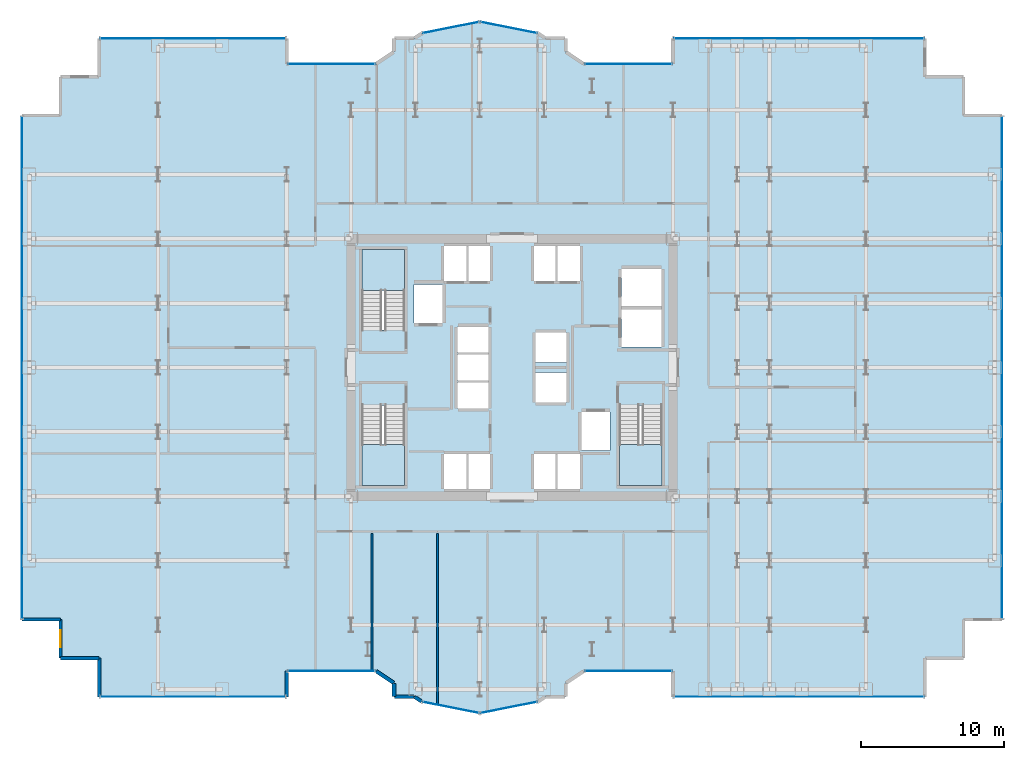
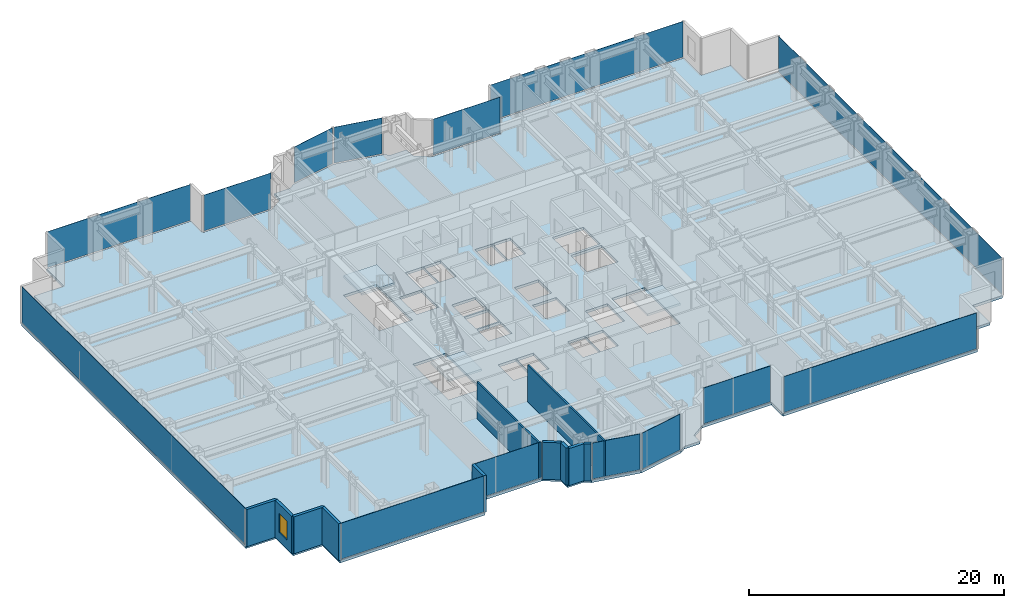
# One storey, part 19 of 26: 14 plates, 11 walls, 4 slabs, 1 window, 1 opening, 17 elements without a shape of their own.
"""IFC4 building model written with IfcOpenShell, lengths in metres."""

from ifc_helpers import new_model, si_unit, direction, frame, frame_2d, origin, origin_2d, place, context, subcontext, project, spatial, polyline, rectangle, outline, extrude, source, transform, mapped, material, layer, layer_set, type_object, element, fill, aggregate, save


model = new_model("IFC4")

# Units and contexts
model_context = context("Model", 3, precision=1e-05, world=origin(), true_north=direction((0.0, 1.0)))
body_context = subcontext(model_context, "Body", "Model", "MODEL_VIEW")
ifc_project = project(units=[si_unit("LENGTHUNIT", "METRE"), si_unit("AREAUNIT", "SQUARE_METRE"), si_unit("VOLUMEUNIT", "CUBIC_METRE"), si_unit("PLANEANGLEUNIT", "RADIAN"), si_unit("MASSUNIT", "GRAM", prefix="KILO")], contexts=[model_context])

# Site, building, storey
site_placement = place(None, origin())
site = spatial("IfcSite", under=ifc_project, at=site_placement, CompositionType="ELEMENT")
building_placement = place(site_placement, origin())
building = spatial("IfcBuilding", under=site, at=building_placement, Name="Nefas-Gora Pilgrimage Tower", CompositionType="ELEMENT")
storey_placement = place(building_placement, frame((0.0, 0.0, 63.39990234375)))
storey = spatial("IfcBuildingStorey", under=building, at=storey_placement, Name="L14", CompositionType="ELEMENT", Elevation=63.39990234375)

# Slab
ifc_material_1 = material(Name="Concrete C40/50", Category="concrete")
ifc_layer_1 = layer(ifc_material_1, 0.25)
ifc_layer_set_1 = layer_set([ifc_layer_1], Name="Concrete C40/50")
slab_type_1 = type_object("IfcSlabType", Name="SLB-TWR-250", PredefinedType="FLOOR", material=ifc_layer_set_1)
slab_1_placement = place(storey_placement, frame((0.0, 0.0, -0.25)))
element("IfcSlab", 1, at=slab_1_placement, inside=storey, type_object=slab_type_1, Name="L14 Structural Floor Slab", PredefinedType="FLOOR", context=body_context, shape_type="SweptSolid", body=[
    extrude(outline(polyline([(5.01806640625, -21.219970703125), (11.25, -21.219970703125), (11.25, -23.02001953125), (28.8701171875, -23.02001953125), (28.8701171875, -20.320068359375), (31.570068359375, -20.320068359375), (31.570068359375, -17.6201171875), (34.27001953125, -17.6201171875), (34.27001953125, 17.6201171875), (31.570068359375, 17.6201171875), (31.570068359375, 20.320068359375), (28.8701171875, 20.320068359375), (28.8701171875, 23.02001953125), (11.25, 23.02001953125), (11.25, 21.219970703125), (5.01806640625, 21.219970703125), (3.75, 22.0673828125), (3.75, 23.02001953125), (2.32421875, 23.02001953125), (1.807373046875, 23.365234375), (-2.25, 24.17236328125), (-6.307373046875, 23.365234375), (-6.82421875, 23.02001953125), (-8.25, 23.02001953125), (-8.25, 22.0673828125), (-9.51806640625, 21.219970703125), (-15.75, 21.219970703125), (-15.75, 23.02001953125), (-28.8701171875, 23.02001953125), (-28.8701171875, 20.320068359375), (-31.570068359375, 20.320068359375), (-31.570068359375, 17.6201171875), (-34.27001953125, 17.6201171875), (-34.27001953125, -17.6201171875), (-31.570068359375, -17.6201171875), (-31.570068359375, -20.320068359375), (-28.8701171875, -20.320068359375), (-28.8701171875, -23.02001953125), (-15.75, -23.02001953125), (-15.75, -21.219970703125), (-9.51806640625, -21.219970703125), (-8.25, -22.0673828125), (-8.25, -23.02001953125), (-6.82421875, -23.02001953125), (-6.307373046875, -23.365234375), (-2.25, -24.17236328125), (1.807373046875, -23.365234375), (2.32421875, -23.02001953125), (3.75, -23.02001953125), (3.75, -22.0673828125), (5.01806640625, -21.219970703125)]), holes=[polyline([(-10.5, 2.639892578125), (-10.5, 8.25), (-7.5, 8.25), (-7.5, 2.639892578125), (-10.5, 2.639892578125)]), polyline([(10.5, -2.639892578125), (10.5, -8.25), (7.5, -8.25), (7.5, -2.639892578125), (10.5, -2.639892578125)]), polyline([(-7.5, -2.639892578125), (-7.5, -8.25), (-10.5, -8.25), (-10.5, -2.639892578125), (-7.5, -2.639892578125)]), polyline([(-6.85009765625, 5.800048828125), (-4.85009765625, 5.800048828125), (-4.85009765625, 3.10009765625), (-6.85009765625, 3.10009765625), (-6.85009765625, 5.800048828125)]), polyline([(4.85009765625, -3.10009765625), (6.85009765625, -3.10009765625), (6.85009765625, -5.800048828125), (4.85009765625, -5.800048828125), (4.85009765625, -3.10009765625)]), polyline([(7.64990234375, 4.050048828125), (10.449951171875, 4.050048828125), (10.449951171875, 1.449951171875), (7.64990234375, 1.449951171875), (7.64990234375, 4.050048828125)]), polyline([(7.64990234375, 6.89990234375), (10.449951171875, 6.89990234375), (10.449951171875, 4.300048828125), (7.64990234375, 4.300048828125), (7.64990234375, 6.89990234375)]), polyline([(-4.75, 8.5), (-3.14990234375, 8.5), (-3.14990234375, 6.050048828125), (-4.75, 6.050048828125), (-4.75, 8.5)]), polyline([(-3.10009765625, 8.5), (-1.550048828125, 8.5), (-1.550048828125, 6.050048828125), (-3.10009765625, 6.050048828125), (-3.10009765625, 8.5)]), polyline([(1.550048828125, 8.5), (3.10009765625, 8.5), (3.10009765625, 6.050048828125), (1.550048828125, 6.050048828125), (1.550048828125, 8.5)]), polyline([(3.14990234375, 8.5), (4.75, 8.5), (4.75, 6.050048828125), (3.14990234375, 6.050048828125), (3.14990234375, 8.5)]), polyline([(-4.75, -6.050048828125), (-3.14990234375, -6.050048828125), (-3.14990234375, -8.5), (-4.75, -8.5), (-4.75, -6.050048828125)]), polyline([(-3.10009765625, -6.050048828125), (-1.550048828125, -6.050048828125), (-1.550048828125, -8.5), (-3.10009765625, -8.5), (-3.10009765625, -6.050048828125)]), polyline([(1.550048828125, -6.050048828125), (3.10009765625, -6.050048828125), (3.10009765625, -8.5), (1.550048828125, -8.5), (1.550048828125, -6.050048828125)]), polyline([(3.14990234375, -6.050048828125), (4.75, -6.050048828125), (4.75, -8.5), (3.14990234375, -8.5), (3.14990234375, -6.050048828125)]), polyline([(-3.800048828125, -1.050048828125), (-1.64990234375, -1.050048828125), (-1.64990234375, -2.85009765625), (-3.800048828125, -2.85009765625), (-3.800048828125, -1.050048828125)]), polyline([(-3.800048828125, 0.89990234375), (-1.64990234375, 0.89990234375), (-1.64990234375, -0.89990234375), (-3.800048828125, -0.89990234375), (-3.800048828125, 0.89990234375)]), polyline([(-3.800048828125, 2.85009765625), (-1.64990234375, 2.85009765625), (-1.64990234375, 1.050048828125), (-3.800048828125, 1.050048828125), (-3.800048828125, 2.85009765625)]), polyline([(1.64990234375, -0.35009765625), (3.800048828125, -0.35009765625), (3.800048828125, -2.449951171875), (1.64990234375, -2.449951171875), (1.64990234375, -0.35009765625)]), polyline([(1.64990234375, 2.449951171875), (3.800048828125, 2.449951171875), (3.800048828125, 0.35009765625), (1.64990234375, 0.35009765625), (1.64990234375, 2.449951171875)])]), origin(), (0.0, 0.0, 1.0), 0.25),
])

# Stair, slab
ifc_material_2 = material(Name="Concrete C45/55", Category="concrete")
stair_type = type_object("IfcStairType", Name="STR-1400-R1727", PredefinedType="HALF_TURN_STAIR", material=ifc_material_2)
stair_1_placement = place(storey_placement, origin())
stair_1 = element("IfcStair", 2, at=stair_1_placement, inside=storey, type_object=stair_type, Name="L14 Pressurised Tower Exit Stair ST-01", PredefinedType="HALF_TURN_STAIR")
ifc_layer_2 = layer(ifc_material_1, 0.199951171875)
ifc_layer_set_2 = layer_set([ifc_layer_2], Name="Concrete C40/50")
slab_type_2 = type_object("IfcSlabType", Name="STR-LAND-200", PredefinedType="LANDING", material=ifc_layer_set_2)
slab_2_placement = place(storey_placement, frame((0.0, 0.0, 1.7001953125)))
slab_2 = element("IfcSlab", 3, at=slab_2_placement, type_object=slab_type_2, Name="ST-01 landing 1", PredefinedType="LANDING", context=body_context, shape_type="SweptSolid", body=[
    extrude(outline(polyline([(-7.5, 5.39990234375), (-7.5, 8.25), (-10.5, 8.25), (-10.5, 5.39990234375), (-7.5, 5.39990234375)])), origin(), (0.0, 0.0, 1.0), 0.199951171875),
])
aggregate(stair_1, [slab_2])

stair_2_placement = place(storey_placement, origin())
stair_2 = element("IfcStair", 4, at=stair_2_placement, inside=storey, type_object=stair_type, Name="L14 Pressurised Tower Exit Stair ST-02", PredefinedType="HALF_TURN_STAIR")
slab_3_placement = place(storey_placement, frame((0.0, 0.0, 1.7001953125)))
slab_3 = element("IfcSlab", 5, at=slab_3_placement, type_object=slab_type_2, Name="ST-02 landing 1", PredefinedType="LANDING", context=body_context, shape_type="SweptSolid", body=[
    extrude(outline(polyline([(7.5, -5.39990234375), (7.5, -8.25), (10.5, -8.25), (10.5, -5.39990234375), (7.5, -5.39990234375)])), origin(), (0.0, 0.0, 1.0), 0.199951171875),
])
aggregate(stair_2, [slab_3])

stair_3_placement = place(storey_placement, origin())
stair_3 = element("IfcStair", 6, at=stair_3_placement, inside=storey, type_object=stair_type, Name="L14 Pressurised Tower Exit Stair ST-03", PredefinedType="HALF_TURN_STAIR")
slab_4_placement = place(storey_placement, frame((0.0, 0.0, 1.7001953125)))
slab_4 = element("IfcSlab", 7, at=slab_4_placement, type_object=slab_type_2, Name="ST-03 landing 1", PredefinedType="LANDING", context=body_context, shape_type="SweptSolid", body=[
    extrude(outline(polyline([(-10.5, -5.39990234375), (-10.5, -8.25), (-7.5, -8.25), (-7.5, -5.39990234375), (-10.5, -5.39990234375)])), origin(), (0.0, 0.0, 1.0), 0.199951171875),
])
aggregate(stair_3, [slab_4])

# Curtain wall, plate
ifc_material_3 = material(Name="Dark ceramic-fritted solar-control aluminium-glass curtain wall", Category="aluminium")
ifc_layer_3 = layer(ifc_material_3, 0.219970703125)
ifc_layer_set_3 = layer_set([ifc_layer_3], Name="Dark ceramic-fritted solar-control aluminium-glass curtain wall")
curtain_wall_type_1 = type_object("IfcCurtainWallType", Name="CW-SYS-5", PredefinedType="NOTDEFINED", material=ifc_layer_set_3)
curtain_wall_1_placement = place(storey_placement, origin())
curtain_wall_1 = element("IfcCurtainWall", 8, at=curtain_wall_1_placement, inside=storey, type_object=curtain_wall_type_1, Name="L14 Unitised Curtain Wall CW5", PredefinedType="NOTDEFINED")
ifc_material_4 = material(Name="Dark ceramic-printed low-e insulated glass", Category="glass")
ifc_layer_4 = layer(ifc_material_4, 0.028076171875)
ifc_layer_set_4 = layer_set([ifc_layer_4], Name="Dark ceramic-printed low-e insulated glass")
plate_type_1 = type_object("IfcPlateType", Name="CWP-PNL-5", PredefinedType="CURTAIN_PANEL", material=ifc_layer_set_4)
shared_shape_1 = source(origin(), body_context, "Body", "SweptSolid", [
    extrude(rectangle(XDim=6.052001953125, YDim=0.028076171875, at=origin_2d()), origin(), (0.0, 0.0, 1.0), 3.43994140625),
])
plate_1_placement = place(storey_placement, frame((8.134033203125, -21.219970703125, 0.10009765625), z_axis=(0.0, 0.0, 1.0), x_axis=(1.0, 0.0, 0.0)))
plate_1 = element("IfcPlate", 9, at=plate_1_placement, type_object=plate_type_1, Name="CW5 Ceramic-Fritted Glazing Panel 1", PredefinedType="CURTAIN_PANEL", context=body_context, shape_type="MappedRepresentation", body=[
    mapped(shared_shape_1, transform((0.0, 0.0, 0.0), x_axis=(1.0, 0.0, 0.0), y_axis=(0.0, 1.0, 0.0), z_axis=(0.0, 0.0, 1.0), scale=1.0)),
])
aggregate(curtain_wall_1, [plate_1])

curtain_wall_2_placement = place(storey_placement, origin())
curtain_wall_2 = element("IfcCurtainWall", 10, at=curtain_wall_2_placement, inside=storey, type_object=curtain_wall_type_1, Name="L14 Unitised Curtain Wall CW5", PredefinedType="NOTDEFINED")
plate_2_placement = place(storey_placement, frame((8.134033203125, 21.219970703125, 0.10009765625), z_axis=(0.0, 0.0, 1.0), x_axis=(-1.0, 0.0, 0.0)))
plate_2 = element("IfcPlate", 11, at=plate_2_placement, type_object=plate_type_1, Name="CW5 Ceramic-Fritted Glazing Panel 1", PredefinedType="CURTAIN_PANEL", context=body_context, shape_type="MappedRepresentation", body=[
    mapped(shared_shape_1, transform((0.0, 0.0, 0.0), x_axis=(1.0, 0.0, 0.0), y_axis=(0.0, 1.0, 0.0), z_axis=(0.0, 0.0, 1.0), scale=1.0)),
])
aggregate(curtain_wall_2, [plate_2])

curtain_wall_3_placement = place(storey_placement, origin())
curtain_wall_3 = element("IfcCurtainWall", 12, at=curtain_wall_3_placement, inside=storey, type_object=curtain_wall_type_1, Name="L14 Unitised Curtain Wall CW5", PredefinedType="NOTDEFINED")
plate_3_placement = place(storey_placement, frame((-12.634033203125, 21.219970703125, 0.10009765625), z_axis=(0.0, 0.0, 1.0), x_axis=(-1.0, 0.0, 0.0)))
plate_3 = element("IfcPlate", 13, at=plate_3_placement, type_object=plate_type_1, Name="CW5 Ceramic-Fritted Glazing Panel 1", PredefinedType="CURTAIN_PANEL", context=body_context, shape_type="MappedRepresentation", body=[
    mapped(shared_shape_1, transform((0.0, 0.0, 0.0), x_axis=(1.0, 0.0, 0.0), y_axis=(0.0, 1.0, 0.0), z_axis=(0.0, 0.0, 1.0), scale=1.0)),
])
aggregate(curtain_wall_3, [plate_3])

curtain_wall_4_placement = place(storey_placement, origin())
curtain_wall_4 = element("IfcCurtainWall", 14, at=curtain_wall_4_placement, inside=storey, type_object=curtain_wall_type_1, Name="L14 Unitised Curtain Wall CW5", PredefinedType="NOTDEFINED")
plate_4_placement = place(storey_placement, frame((-12.634033203125, -21.219970703125, 0.10009765625), z_axis=(0.0, 0.0, 1.0), x_axis=(1.0, 0.0, 0.0)))
plate_4 = element("IfcPlate", 15, at=plate_4_placement, type_object=plate_type_1, Name="CW5 Ceramic-Fritted Glazing Panel 1", PredefinedType="CURTAIN_PANEL", context=body_context, shape_type="MappedRepresentation", body=[
    mapped(shared_shape_1, transform((0.0, 0.0, 0.0), x_axis=(1.0, 0.0, 0.0), y_axis=(0.0, 1.0, 0.0), z_axis=(0.0, 0.0, 1.0), scale=1.0)),
])
aggregate(curtain_wall_4, [plate_4])

ifc_layer_5 = layer(ifc_material_3, 0.219970703125)
ifc_layer_set_5 = layer_set([ifc_layer_5], Name="Dark ceramic-fritted solar-control aluminium-glass curtain wall")
curtain_wall_type_2 = type_object("IfcCurtainWallType", Name="CW-SYS-2", PredefinedType="NOTDEFINED", material=ifc_layer_set_5)
curtain_wall_5_placement = place(storey_placement, origin())
curtain_wall_5 = element("IfcCurtainWall", 16, at=curtain_wall_5_placement, inside=storey, type_object=curtain_wall_type_2, Name="L14 Unitised Curtain Wall CW2", PredefinedType="NOTDEFINED")
ifc_layer_6 = layer(ifc_material_4, 0.031982421875)
ifc_layer_set_6 = layer_set([ifc_layer_6], Name="Dark ceramic-printed low-e insulated glass")
plate_type_2 = type_object("IfcPlateType", Name="CWP-PNL-2", PredefinedType="CURTAIN_PANEL", material=ifc_layer_set_6)
shared_shape_2 = source(origin(), body_context, "Body", "SweptSolid", [
    extrude(rectangle(XDim=17.43994140625, YDim=0.031982421875, at=origin_2d()), origin(), (0.0, 0.0, 1.0), 3.43994140625),
])
plate_5_placement = place(storey_placement, frame((20.06005859375, -23.02001953125, 0.10009765625), z_axis=(0.0, 0.0, 1.0), x_axis=(1.0, 0.0, 0.0)))
plate_5 = element("IfcPlate", 17, at=plate_5_placement, type_object=plate_type_2, Name="CW2 Ceramic-Fritted Glazing Panel 1", PredefinedType="CURTAIN_PANEL", context=body_context, shape_type="MappedRepresentation", body=[
    mapped(shared_shape_2, transform((0.0, 0.0, 0.0), x_axis=(1.0, 0.0, 0.0), y_axis=(0.0, 1.0, 0.0), z_axis=(0.0, 0.0, 1.0), scale=1.0)),
])
aggregate(curtain_wall_5, [plate_5])

curtain_wall_6_placement = place(storey_placement, origin())
curtain_wall_6 = element("IfcCurtainWall", 18, at=curtain_wall_6_placement, inside=storey, type_object=curtain_wall_type_2, Name="L14 Unitised Curtain Wall CW2", PredefinedType="NOTDEFINED")
plate_6_placement = place(storey_placement, frame((20.06005859375, 23.02001953125, 0.10009765625), z_axis=(0.0, 0.0, 1.0), x_axis=(-1.0, 0.0, 0.0)))
plate_6 = element("IfcPlate", 19, at=plate_6_placement, type_object=plate_type_2, Name="CW2 Ceramic-Fritted Glazing Panel 1", PredefinedType="CURTAIN_PANEL", context=body_context, shape_type="MappedRepresentation", body=[
    mapped(shared_shape_2, transform((0.0, 0.0, 0.0), x_axis=(1.0, 0.0, 0.0), y_axis=(0.0, 1.0, 0.0), z_axis=(0.0, 0.0, 1.0), scale=1.0)),
])
aggregate(curtain_wall_6, [plate_6])

curtain_wall_7_placement = place(storey_placement, origin())
curtain_wall_7 = element("IfcCurtainWall", 20, at=curtain_wall_7_placement, inside=storey, type_object=curtain_wall_type_1, Name="L14 Unitised Curtain Wall CW5", PredefinedType="NOTDEFINED")
shared_shape_3 = source(origin(), body_context, "Body", "SweptSolid", [
    extrude(rectangle(XDim=3.956787109375, YDim=0.028076171875, at=origin_2d()), origin(), (0.0, 0.0, 1.0), 3.43994140625),
])
plate_7_placement = place(storey_placement, frame((-0.22119140625, 23.768798828125, 0.10009765625), z_axis=(0.0, 0.0, 1.0), x_axis=(-0.980782896852, 0.195102304554, 0.0)))
plate_7 = element("IfcPlate", 21, at=plate_7_placement, type_object=plate_type_1, Name="CW5 Ceramic-Fritted Glazing Panel 1", PredefinedType="CURTAIN_PANEL", context=body_context, shape_type="MappedRepresentation", body=[
    mapped(shared_shape_3, transform((0.0, 0.0, 0.0), x_axis=(1.0, 0.0, 0.0), y_axis=(0.0, 1.0, 0.0), z_axis=(0.0, 0.0, 1.0), scale=1.0)),
])
aggregate(curtain_wall_7, [plate_7])

curtain_wall_8_placement = place(storey_placement, origin())
curtain_wall_8 = element("IfcCurtainWall", 22, at=curtain_wall_8_placement, inside=storey, type_object=curtain_wall_type_1, Name="L14 Unitised Curtain Wall CW5", PredefinedType="NOTDEFINED")
plate_8_placement = place(storey_placement, frame((-4.278564453125, 23.768798828125, 0.10009765625), z_axis=(0.0, 0.0, 1.0), x_axis=(-0.980782896852, -0.195102304554, 0.0)))
plate_8 = element("IfcPlate", 23, at=plate_8_placement, type_object=plate_type_1, Name="CW5 Ceramic-Fritted Glazing Panel 1", PredefinedType="CURTAIN_PANEL", context=body_context, shape_type="MappedRepresentation", body=[
    mapped(shared_shape_3, transform((0.0, 0.0, 0.0), x_axis=(1.0, 0.0, 0.0), y_axis=(0.0, 1.0, 0.0), z_axis=(0.0, 0.0, 1.0), scale=1.0)),
])
aggregate(curtain_wall_8, [plate_8])

curtain_wall_9_placement = place(storey_placement, origin())
curtain_wall_9 = element("IfcCurtainWall", 24, at=curtain_wall_9_placement, inside=storey, type_object=curtain_wall_type_1, Name="L14 Unitised Curtain Wall CW5", PredefinedType="NOTDEFINED")
plate_9_placement = place(storey_placement, frame((-4.278564453125, -23.768798828125, 0.10009765625), z_axis=(0.0, 0.0, 1.0), x_axis=(0.980782896852, -0.195102304554, 0.0)))
plate_9 = element("IfcPlate", 25, at=plate_9_placement, type_object=plate_type_1, Name="CW5 Ceramic-Fritted Glazing Panel 1", PredefinedType="CURTAIN_PANEL", context=body_context, shape_type="MappedRepresentation", body=[
    mapped(shared_shape_3, transform((0.0, 0.0, 0.0), x_axis=(1.0, 0.0, 0.0), y_axis=(0.0, 1.0, 0.0), z_axis=(0.0, 0.0, 1.0), scale=1.0)),
])
aggregate(curtain_wall_9, [plate_9])

curtain_wall_10_placement = place(storey_placement, origin())
curtain_wall_10 = element("IfcCurtainWall", 26, at=curtain_wall_10_placement, inside=storey, type_object=curtain_wall_type_1, Name="L14 Unitised Curtain Wall CW5", PredefinedType="NOTDEFINED")
plate_10_placement = place(storey_placement, frame((-0.221435546875, -23.768798828125, 0.10009765625), z_axis=(0.0, 0.0, 1.0), x_axis=(0.980782896852, 0.195102304554, 0.0)))
plate_10 = element("IfcPlate", 27, at=plate_10_placement, type_object=plate_type_1, Name="CW5 Ceramic-Fritted Glazing Panel 1", PredefinedType="CURTAIN_PANEL", context=body_context, shape_type="MappedRepresentation", body=[
    mapped(shared_shape_3, transform((0.0, 0.0, 0.0), x_axis=(1.0, 0.0, 0.0), y_axis=(0.0, 1.0, 0.0), z_axis=(0.0, 0.0, 1.0), scale=1.0)),
])
aggregate(curtain_wall_10, [plate_10])

curtain_wall_11_placement = place(storey_placement, origin())
curtain_wall_11 = element("IfcCurtainWall", 28, at=curtain_wall_11_placement, inside=storey, type_object=curtain_wall_type_2, Name="L14 Unitised Curtain Wall CW2", PredefinedType="NOTDEFINED")
shared_shape_4 = source(origin(), body_context, "Body", "SweptSolid", [
    extrude(rectangle(XDim=12.93994140625, YDim=0.031982421875, at=origin_2d()), origin(), (0.0, 0.0, 1.0), 3.43994140625),
])
plate_11_placement = place(storey_placement, frame((-22.31005859375, 23.02001953125, 0.10009765625), z_axis=(0.0, 0.0, 1.0), x_axis=(-1.0, 0.0, 0.0)))
plate_11 = element("IfcPlate", 29, at=plate_11_placement, type_object=plate_type_2, Name="CW2 Ceramic-Fritted Glazing Panel 1", PredefinedType="CURTAIN_PANEL", context=body_context, shape_type="MappedRepresentation", body=[
    mapped(shared_shape_4, transform((0.0, 0.0, 0.0), x_axis=(1.0, 0.0, 0.0), y_axis=(0.0, 1.0, 0.0), z_axis=(0.0, 0.0, 1.0), scale=1.0)),
])
aggregate(curtain_wall_11, [plate_11])

curtain_wall_12_placement = place(storey_placement, origin())
curtain_wall_12 = element("IfcCurtainWall", 30, at=curtain_wall_12_placement, inside=storey, type_object=curtain_wall_type_2, Name="L14 Unitised Curtain Wall CW2", PredefinedType="NOTDEFINED")
plate_12_placement = place(storey_placement, frame((-22.31005859375, -23.02001953125, 0.10009765625), z_axis=(0.0, 0.0, 1.0), x_axis=(1.0, 0.0, 0.0)))
plate_12 = element("IfcPlate", 31, at=plate_12_placement, type_object=plate_type_2, Name="CW2 Ceramic-Fritted Glazing Panel 1", PredefinedType="CURTAIN_PANEL", context=body_context, shape_type="MappedRepresentation", body=[
    mapped(shared_shape_4, transform((0.0, 0.0, 0.0), x_axis=(1.0, 0.0, 0.0), y_axis=(0.0, 1.0, 0.0), z_axis=(0.0, 0.0, 1.0), scale=1.0)),
])
aggregate(curtain_wall_12, [plate_12])

curtain_wall_13_placement = place(storey_placement, origin())
curtain_wall_13 = element("IfcCurtainWall", 32, at=curtain_wall_13_placement, inside=storey, type_object=curtain_wall_type_2, Name="L14 Unitised Curtain Wall CW2", PredefinedType="NOTDEFINED")
shared_shape_5 = source(origin(), body_context, "Body", "SweptSolid", [
    extrude(rectangle(XDim=35.06005859375, YDim=0.031982421875, at=origin_2d()), origin(), (0.0, 0.0, 1.0), 3.43994140625),
])
plate_13_placement = place(storey_placement, frame((34.27001953125, 0.0, 0.10009765625), z_axis=(0.0, 0.0, 1.0), x_axis=(0.0, 1.0, 0.0)))
plate_13 = element("IfcPlate", 33, at=plate_13_placement, type_object=plate_type_2, Name="CW2 Ceramic-Fritted Glazing Panel 1", PredefinedType="CURTAIN_PANEL", context=body_context, shape_type="MappedRepresentation", body=[
    mapped(shared_shape_5, transform((0.0, 0.0, 0.0), x_axis=(1.0, 0.0, 0.0), y_axis=(0.0, 1.0, 0.0), z_axis=(0.0, 0.0, 1.0), scale=1.0)),
])
aggregate(curtain_wall_13, [plate_13])

curtain_wall_14_placement = place(storey_placement, origin())
curtain_wall_14 = element("IfcCurtainWall", 34, at=curtain_wall_14_placement, inside=storey, type_object=curtain_wall_type_2, Name="L14 Unitised Curtain Wall CW2", PredefinedType="NOTDEFINED")
plate_14_placement = place(storey_placement, frame((-34.27001953125, 0.0, 0.10009765625), z_axis=(0.0, 0.0, 1.0), x_axis=(0.0, -1.0, 0.0)))
plate_14 = element("IfcPlate", 35, at=plate_14_placement, type_object=plate_type_2, Name="CW2 Ceramic-Fritted Glazing Panel 1", PredefinedType="CURTAIN_PANEL", context=body_context, shape_type="MappedRepresentation", body=[
    mapped(shared_shape_5, transform((0.0, 0.0, 0.0), x_axis=(1.0, 0.0, 0.0), y_axis=(0.0, 1.0, 0.0), z_axis=(0.0, 0.0, 1.0), scale=1.0)),
])
aggregate(curtain_wall_14, [plate_14])

# Walls
ifc_material_5 = material(Name="Precast concrete C40/50", Category="concrete")
ifc_layer_7 = layer(ifc_material_5, 0.260009765625)
ifc_layer_set_7 = layer_set([ifc_layer_7], Name="Precast concrete C40/50")
wall_type_1 = type_object("IfcWallType", Name="EW-PORTAL-260", PredefinedType="SOLIDWALL", material=ifc_layer_set_7)
shared_shape_6 = source(origin(), body_context, "Body", "SweptSolid", [
    extrude(rectangle(XDim=1.800048828125, YDim=0.260009765625, at=frame_2d((0.89990234375, 0.0))), origin(), (0.0, 0.0, 1.0), 3.550048828125),
])
wall_1_placement = place(storey_placement, frame((-15.75, -23.02001953125, 0.0), z_axis=(0.0, 0.0, 1.0), x_axis=(0.0, 1.0, 0.0)))
element("IfcWall", 36, at=wall_1_placement, inside=storey, type_object=wall_type_1, Name="L14 Lobe Shoulder Precast Spandrel Pier 28", PredefinedType="SOLIDWALL", context=body_context, shape_type="MappedRepresentation", body=[
    mapped(shared_shape_6, transform((0.0, 0.0, 0.0), x_axis=(1.0, 0.0, 0.0), y_axis=(0.0, 1.0, 0.0), z_axis=(0.0, 0.0, 1.0), scale=1.0)),
])
ifc_material_6 = material(Name="Precast concrete C45/55", Category="concrete")
ifc_layer_8 = layer(ifc_material_6, 0.239990234375)
ifc_layer_set_8 = layer_set([ifc_layer_8], Name="Precast concrete C45/55")
wall_type_2 = type_object("IfcWallType", Name="EW-SERR-240", PredefinedType="SHEAR", material=ifc_layer_set_8)
shared_shape_7 = source(origin(), body_context, "Body", "SweptSolid", [
    extrude(rectangle(XDim=2.699951171875, YDim=0.239990234375, at=frame_2d((1.35009765625, 0.0))), origin(), (0.0, 0.0, 1.0), 3.550048828125),
])
wall_2_placement = place(storey_placement, frame((-34.27001953125, -17.6201171875, 0.0), z_axis=(0.0, 0.0, 1.0), x_axis=(1.0, 0.0, 0.0)))
element("IfcWall", 37, at=wall_2_placement, inside=storey, type_object=wall_type_2, Name="L14 Serrated Corner Shear Pier Wall 24", PredefinedType="SHEAR", context=body_context, shape_type="MappedRepresentation", body=[
    mapped(shared_shape_7, transform((0.0, 0.0, 0.0), x_axis=(1.0, 0.0, 0.0), y_axis=(0.0, 1.0, 0.0), z_axis=(0.0, 0.0, 1.0), scale=1.0)),
])

# Wall, opening, window
wall_3_placement = place(storey_placement, frame((-31.570068359375, -17.6201171875, 0.0), z_axis=(0.0, 0.0, 1.0), x_axis=(0.0, -1.0, 0.0)))
wall_3 = element("IfcWall", 38, at=wall_3_placement, inside=storey, type_object=wall_type_2, Name="L14 Serrated Corner Shear Pier Wall 25", PredefinedType="SHEAR", context=body_context, shape_type="MappedRepresentation", body=[
    mapped(shared_shape_7, transform((0.0, 0.0, 0.0), x_axis=(1.0, 0.0, 0.0), y_axis=(0.0, 1.0, 0.0), z_axis=(0.0, 0.0, 1.0), scale=1.0)),
])
opening_placement = place(wall_3_placement, frame((0.75, 0.0, 0.85009765625)))
opening = element("IfcOpeningElement", 39, at=opening_placement, cuts=wall_3, Name="Opening W-V1", PredefinedType="OPENING", context=body_context, shape_type="SweptSolid", body=[
    extrude(rectangle(XDim=1.199951171875, YDim=1.800048828125, at=frame_2d((0.60009765625, 0.89990234375))), frame((0.0, 0.1298828125, 0.0), z_axis=(0.0, -1.0, 0.0), x_axis=(1.0, 0.0, 0.0)), (0.0, 0.0, 1.0), 0.260009765625),
])
ifc_material_7 = material(Name="Dark ceramic-fritted operable aluminium-glass window", Category="aluminium")
window_type = type_object("IfcWindowType", Name="WIN-VENT-1200x1800", PartitioningType="SINGLE_PANEL", PredefinedType="WINDOW", material=ifc_material_7)
shared_shape_8 = source(origin(), body_context, "Body", "SweptSolid", [
    extrude(rectangle(XDim=1.199951171875, YDim=1.800048828125, at=frame_2d((0.60009765625, 0.89990234375))), frame((0.0, 0.030029296875, 0.0), z_axis=(0.0, -1.0, 0.0), x_axis=(1.0, 0.0, 0.0)), (0.0, 0.0, 1.0), 0.06005859375),
])
window_placement = place(opening_placement, origin())
window = element("IfcWindow", 40, at=window_placement, inside=storey, type_object=window_type, Name="L14 Operable Parallel-Outswing Window 25", OverallHeight=1.800048828125, OverallWidth=1.199951171875, PartitioningType="SINGLE_PANEL", PredefinedType="WINDOW", context=body_context, shape_type="MappedRepresentation", body=[
    mapped(shared_shape_8, transform((0.0, 0.0, 0.0), x_axis=(1.0, 0.0, 0.0), y_axis=(0.0, 1.0, 0.0), z_axis=(0.0, 0.0, 1.0), scale=1.0)),
])
fill(opening, window)

# Walls
for number, where, z_axis, x_axis, name in (
    (41, (-31.570068359375, -20.320068359375, 0.0), (0.0, 0.0, 1.0), (1.0, 0.0, 0.0), "L14 Serrated Corner Shear Pier Wall 26"),
    (42, (-28.8701171875, -20.320068359375, 0.0), (0.0, 0.0, 1.0), (0.0, -1.0, 0.0), "L14 Serrated Corner Shear Pier Wall 27"),
):
    element("IfcWall", number, at=place(storey_placement, frame(where, z_axis=z_axis, x_axis=x_axis)), inside=storey, type_object=wall_type_2, Name=name, PredefinedType="SHEAR", context=body_context, shape_type="MappedRepresentation", body=[
        mapped(shared_shape_7, transform((0.0, 0.0, 0.0), x_axis=(1.0, 0.0, 0.0), y_axis=(0.0, 1.0, 0.0), z_axis=(0.0, 0.0, 1.0), scale=1.0)),
    ])
shared_shape_9 = source(origin(), body_context, "Body", "SweptSolid", [
    extrude(rectangle(XDim=1.468994140625, YDim=0.260009765625, at=frame_2d((0.734375, 0.0))), origin(), (0.0, 0.0, 1.0), 3.550048828125),
])
wall_4_placement = place(storey_placement, frame((-9.49462890625, -21.235595703125, 0.0), z_axis=(0.0, 0.0, 1.0), x_axis=(0.831461760506, -0.555581983884, 0.0)))
element("IfcWall", 43, at=wall_4_placement, inside=storey, type_object=wall_type_1, Name="L14 Lobe Shoulder Precast Spandrel Pier 29", PredefinedType="SOLIDWALL", context=body_context, shape_type="MappedRepresentation", body=[
    mapped(shared_shape_9, transform((0.0, 0.0, 0.0), x_axis=(1.0, 0.0, 0.0), y_axis=(0.0, 1.0, 0.0), z_axis=(0.0, 0.0, 1.0), scale=1.0)),
])
shared_shape_10 = source(origin(), body_context, "Body", "SweptSolid", [
    extrude(rectangle(XDim=0.896728515625, YDim=0.260009765625, at=frame_2d((0.4482421875, 0.0))), origin(), (0.0, 0.0, 1.0), 3.550048828125),
])
wall_5_placement = place(storey_placement, frame((-8.25, -22.09521484375, 0.0), z_axis=(0.0, 0.0, 1.0), x_axis=(0.0, -1.0, 0.0)))
element("IfcWall", 44, at=wall_5_placement, inside=storey, type_object=wall_type_1, Name="L14 Lobe Shoulder Precast Spandrel Pier 30", PredefinedType="SOLIDWALL", context=body_context, shape_type="MappedRepresentation", body=[
    mapped(shared_shape_10, transform((0.0, 0.0, 0.0), x_axis=(1.0, 0.0, 0.0), y_axis=(0.0, 1.0, 0.0), z_axis=(0.0, 0.0, 1.0), scale=1.0)),
])
shared_shape_11 = source(origin(), body_context, "Body", "SweptSolid", [
    extrude(rectangle(XDim=1.369873046875, YDim=0.260009765625, at=frame_2d((0.68505859375, 0.0))), origin(), (0.0, 0.0, 1.0), 3.550048828125),
])
wall_6_placement = place(storey_placement, frame((-8.221923828125, -23.02001953125, 0.0), z_axis=(0.0, 0.0, 1.0), x_axis=(1.0, 0.0, 0.0)))
element("IfcWall", 45, at=wall_6_placement, inside=storey, type_object=wall_type_1, Name="L14 Lobe Shoulder Precast Spandrel Pier 31", PredefinedType="SOLIDWALL", context=body_context, shape_type="MappedRepresentation", body=[
    mapped(shared_shape_11, transform((0.0, 0.0, 0.0), x_axis=(1.0, 0.0, 0.0), y_axis=(0.0, 1.0, 0.0), z_axis=(0.0, 0.0, 1.0), scale=1.0)),
])
shared_shape_12 = source(origin(), body_context, "Body", "SweptSolid", [
    extrude(rectangle(XDim=0.5654296875, YDim=0.260009765625, at=frame_2d((0.28271484375, 0.0))), origin(), (0.0, 0.0, 1.0), 3.550048828125),
])
wall_7_placement = place(storey_placement, frame((-6.80078125, -23.03564453125, 0.0), z_axis=(0.0, 0.0, 1.0), x_axis=(0.831651492666, -0.555297933317, 0.0)))
element("IfcWall", 46, at=wall_7_placement, inside=storey, type_object=wall_type_1, Name="L14 Lobe Shoulder Precast Spandrel Pier 32", PredefinedType="SOLIDWALL", context=body_context, shape_type="MappedRepresentation", body=[
    mapped(shared_shape_12, transform((0.0, 0.0, 0.0), x_axis=(1.0, 0.0, 0.0), y_axis=(0.0, 1.0, 0.0), z_axis=(0.0, 0.0, 1.0), scale=1.0)),
])
ifc_material_8 = material(Name="Gypsum twin-stud partition")
ifc_layer_9 = layer(ifc_material_8, 0.139892578125)
ifc_layer_set_9 = layer_set([ifc_layer_9], Name="Gypsum twin-stud partition")
wall_type_3 = type_object("IfcWallType", Name="IW-UNIT-140", PredefinedType="PARTITIONING", material=ifc_layer_set_9)
shared_shape_13 = source(origin(), body_context, "Body", "SweptSolid", [
    extrude(rectangle(XDim=9.64990234375, YDim=0.139892578125, at=frame_2d((4.824951171875, 0.0))), origin(), (0.0, 0.0, 1.0), 3.53515625),
])
wall_8_placement = place(storey_placement, frame((-9.804931640625, -21.239990234375, 0.0), z_axis=(0.0, 0.0, 1.0), x_axis=(0.0, 1.0, 0.0)))
element("IfcWall", 47, at=wall_8_placement, inside=storey, type_object=wall_type_3, Name="L14 Pilgrim Contemplative Lounge Partition Wall 50", PredefinedType="PARTITIONING", context=body_context, shape_type="MappedRepresentation", body=[
    mapped(shared_shape_13, transform((0.0, 0.0, 0.0), x_axis=(1.0, 0.0, 0.0), y_axis=(0.0, 1.0, 0.0), z_axis=(0.0, 0.0, 1.0), scale=1.0)),
])
shared_shape_14 = source(origin(), body_context, "Body", "SweptSolid", [
    extrude(rectangle(XDim=12.016845703125, YDim=0.139892578125, at=frame_2d((6.00830078125, 0.0))), origin(), (0.0, 0.0, 1.0), 3.53515625),
])
wall_9_placement = place(storey_placement, frame((-5.205078125, -23.60693359375, 0.0), z_axis=(0.0, 0.0, 1.0), x_axis=(0.0, 1.0, 0.0)))
element("IfcWall", 48, at=wall_9_placement, inside=storey, type_object=wall_type_3, Name="L14 Pilgrim Contemplative Lounge Partition Wall 52", PredefinedType="PARTITIONING", context=body_context, shape_type="MappedRepresentation", body=[
    mapped(shared_shape_14, transform((0.0, 0.0, 0.0), x_axis=(1.0, 0.0, 0.0), y_axis=(0.0, 1.0, 0.0), z_axis=(0.0, 0.0, 1.0), scale=1.0)),
])

save(model, "model.ifc")
